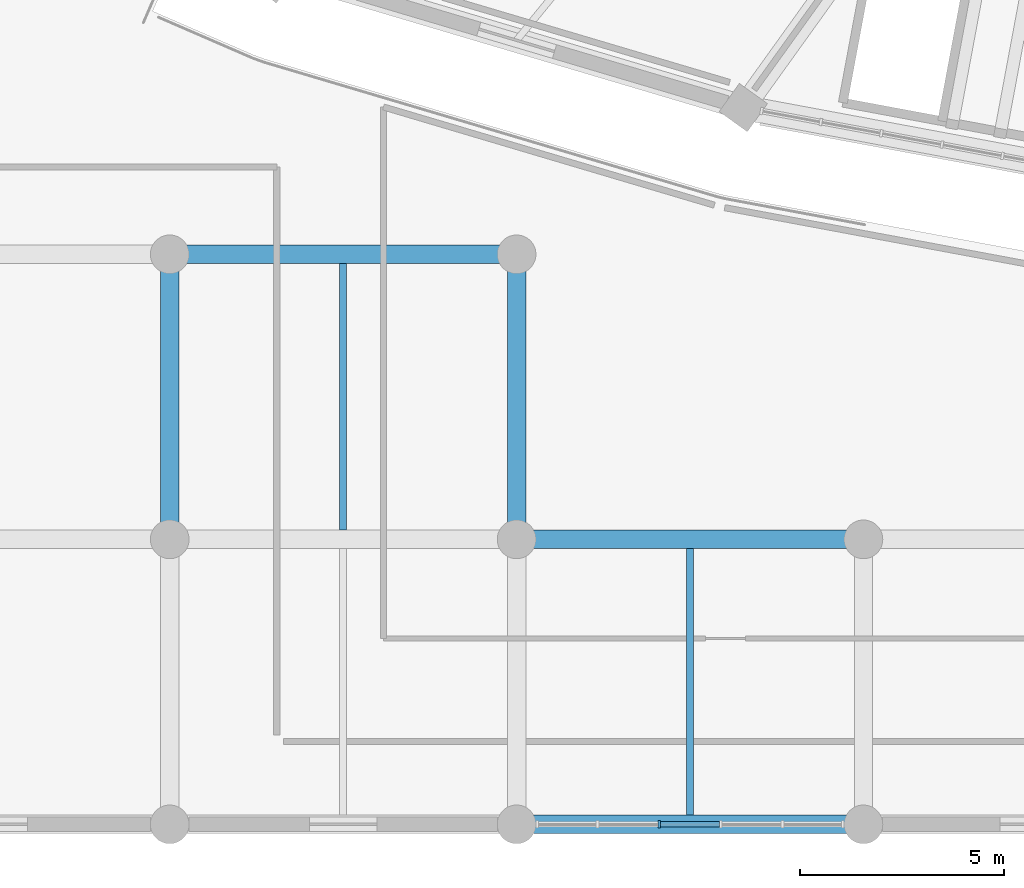
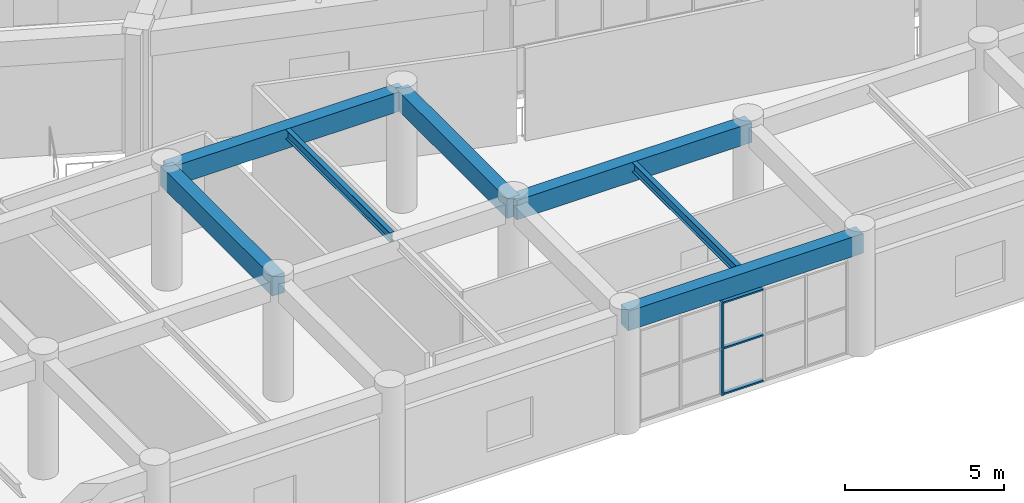
# One storey, part 14 of 152: 7 beams, 4 members, 1 element without a shape of its own.
"""IFC4 building model written with IfcOpenShell, lengths in metres."""

from ifc_helpers import new_model, si_unit, direction, frame, origin, origin_2d, place, context, subcontext, project, spatial, rectangle, i_section, extrude, material, layer, layer_set, material_profile, profile_set, type_object, element, aggregate, save


model = new_model("IFC4")

# Units and contexts
model_context = context("Model", 3, precision=1e-05, world=origin(), true_north=direction((0.0, 1.0)))
body_context = subcontext(model_context, "Body", "Model", "MODEL_VIEW")
ifc_project = project(units=[si_unit("LENGTHUNIT", "METRE"), si_unit("AREAUNIT", "SQUARE_METRE"), si_unit("VOLUMEUNIT", "CUBIC_METRE"), si_unit("PLANEANGLEUNIT", "RADIAN"), si_unit("MASSUNIT", "GRAM", prefix="KILO")], contexts=[model_context])

# Site, building, storey
site_placement = place(None, origin())
site = spatial("IfcSite", under=ifc_project, at=site_placement, CompositionType="ELEMENT")
building_placement = place(site_placement, origin())
building = spatial("IfcBuilding", under=site, at=building_placement, Name="Mphavela Belvedere Stadium", CompositionType="ELEMENT")
storey_placement = place(building_placement, frame((0.0, 0.0, 5.39990234375)))
storey = spatial("IfcBuildingStorey", under=building, at=storey_placement, Name="L01", CompositionType="ELEMENT", Elevation=5.39990234375)

# Beams
ifc_material_1 = material(Name="Steel S355", Category="steel")
ifc_material_profile_1 = material_profile(ifc_material_1, i_section(OverallWidth=0.169921875, OverallDepth=0.360107421875, WebThickness=0.008056640625, FlangeThickness=0.0126953125, at=origin_2d()), Name="IPE 360")
ifc_profile_set_1 = profile_set([ifc_material_profile_1], Name="Steel S355")
beam_type_1 = type_object("IfcBeamType", Name="BM-JOIST-IPE360", PredefinedType="JOIST", material=ifc_profile_set_1)
for number, where, z_axis, x_axis, name in (
    (1, (55.37060546875, 7.22509765625, 4.360107421875), (0.0, 1.0, 0.0), (-1.0, 0.0, 0.0), "South Axial Triumphal Peristyle Portico secondary joist L01 7-2"),
    (2, (63.888916015625, 0.22509765625, 4.360107421875), (0.0, 1.0, 0.0), (-1.0, 0.0, 0.0), "South Axial Triumphal Peristyle Portico secondary joist L01 8-1"),
):
    element("IfcBeam", number, at=place(storey_placement, frame(where, z_axis=z_axis, x_axis=x_axis)), inside=storey, type_object=beam_type_1, Name=name, PredefinedType="JOIST", context=body_context, shape_type="SweptSolid", body=[
        extrude(i_section(OverallWidth=0.169921875, OverallDepth=0.360107421875, WebThickness=0.008056640625, FlangeThickness=0.0126953125, at=origin_2d()), origin(), (0.0, 0.0, 1.0), 6.5498046875),
    ])
ifc_material_2 = material(Name="Concrete C40/50", Category="concrete")
ifc_material_profile_2 = material_profile(ifc_material_2, rectangle(XDim=0.449951171875, YDim=0.75, at=origin_2d()), Name="RC 450x750")
ifc_profile_set_2 = profile_set([ifc_material_profile_2], Name="Concrete C40/50")
beam_type_2 = type_object("IfcBeamType", Name="BM-RC450x750", PredefinedType="BEAM", material=ifc_profile_set_2)
beam_1_placement = place(storey_placement, frame((51.111083984375, 7.0, 4.1650390625), z_axis=(0.0, 1.0, 0.0), x_axis=(-1.0, 0.0, 0.0)))
element("IfcBeam", 3, at=beam_1_placement, inside=storey, type_object=beam_type_2, Name="South Axial Triumphal Peristyle Portico entablature beam Y L01 7-2", PredefinedType="BEAM", context=body_context, shape_type="SweptSolid", body=[
    extrude(rectangle(XDim=0.449951171875, YDim=0.75, at=origin_2d()), origin(), (0.0, 0.0, 1.0), 7.0),
])
beam_2_placement = place(storey_placement, frame((51.111083984375, 14.0, 4.1650390625), z_axis=(1.0, 0.0, 0.0), x_axis=(0.0, 1.0, 0.0)))
element("IfcBeam", 4, at=beam_2_placement, inside=storey, type_object=beam_type_2, Name="South Axial Triumphal Peristyle Portico entablature beam X L01 7-3", PredefinedType="BEAM", context=body_context, shape_type="SweptSolid", body=[
    extrude(rectangle(XDim=0.449951171875, YDim=0.75, at=origin_2d()), origin(), (0.0, 0.0, 1.0), 8.518798828125),
])
for number, where, z_axis, x_axis, name in (
    (5, (59.6298828125, 0.0, 4.1650390625), (1.0, 0.0, 0.0), (0.0, 1.0, 0.0), "South Axial Triumphal Peristyle Portico entablature beam X L01 8-1"),
    (6, (59.6298828125, 7.0, 4.1650390625), (1.0, 0.0, 0.0), (0.0, 1.0, 0.0), "South Axial Triumphal Peristyle Portico entablature beam X L01 8-2"),
):
    element("IfcBeam", number, at=place(storey_placement, frame(where, z_axis=z_axis, x_axis=x_axis)), inside=storey, type_object=beam_type_2, Name=name, PredefinedType="BEAM", context=body_context, shape_type="SweptSolid", body=[
        extrude(rectangle(XDim=0.449951171875, YDim=0.75, at=origin_2d()), origin(), (0.0, 0.0, 1.0), 8.51806640625),
    ])
beam_3_placement = place(storey_placement, frame((59.6298828125, 7.0, 4.1650390625), z_axis=(0.0, 1.0, 0.0), x_axis=(-1.0, 0.0, 0.0)))
element("IfcBeam", 7, at=beam_3_placement, inside=storey, type_object=beam_type_2, Name="South Axial Triumphal Peristyle Portico entablature beam Y L01 8-2", PredefinedType="BEAM", context=body_context, shape_type="SweptSolid", body=[
    extrude(rectangle(XDim=0.449951171875, YDim=0.75, at=origin_2d()), origin(), (0.0, 0.0, 1.0), 7.0),
])

# Curtain wall, members
ifc_material_3 = material(Name="Anodised bronze unitised curtain wall framing")
ifc_layer = layer(ifc_material_3, 0.195068359375)
ifc_layer_set = layer_set([ifc_layer], Name="Anodised bronze unitised curtain wall framing")
curtain_wall_type = type_object("IfcCurtainWallType", Name="CW-UNIT-04", PredefinedType="USERDEFINED", material=ifc_layer_set)
curtain_wall_placement = place(storey_placement, origin())
curtain_wall = element("IfcCurtainWall", 8, at=curtain_wall_placement, inside=storey, type_object=curtain_wall_type, Name="South Axial Triumphal Peristyle Portico gallery curtain wall L01-08", ObjectType="UNITISED CURTAIN WALL", PredefinedType="USERDEFINED")
ifc_material_4 = material(Name="Anodised bronze extruded aluminium", Category="aluminium")
ifc_material_profile_3 = material_profile(ifc_material_4, rectangle(XDim=0.179931640625, YDim=0.06494140625, at=origin_2d()), Name="CW-MUL 180x65")
ifc_profile_set_3 = profile_set([ifc_material_profile_3], Name="Anodised bronze extruded aluminium")
member_type_1 = type_object("IfcMemberType", Name="CWM-180x65", PredefinedType="MULLION", material=ifc_profile_set_3)
member_1_placement = place(storey_placement, frame((63.1318359375, 0.0, 0.0), z_axis=(0.0, 0.0, 1.0), x_axis=(0.0, -1.0, 0.0)))
member_1 = element("IfcMember", 9, at=member_1_placement, type_object=member_type_1, Name="CW-04 mullion 4", PredefinedType="MULLION", context=body_context, shape_type="SweptSolid", body=[
    extrude(rectangle(XDim=0.179931640625, YDim=0.06494140625, at=origin_2d()), origin(), (0.0, 0.0, 1.0), 3.56005859375),
])
ifc_material_5 = material(Name="Anodised bronze extruded aluminium", Category="aluminium")
ifc_material_profile_4 = material_profile(ifc_material_5, rectangle(XDim=0.139892578125, YDim=0.06005859375, at=origin_2d()), Name="CW-TRN 140x60")
ifc_profile_set_4 = profile_set([ifc_material_profile_4], Name="Anodised bronze extruded aluminium")
member_type_2 = type_object("IfcMemberType", Name="CWT-140x60", PredefinedType="USERDEFINED", material=ifc_profile_set_4)
member_2_placement = place(storey_placement, frame((64.61376953125, 0.0, 0.030029296875), z_axis=(-1.0, 0.0, 0.0), x_axis=(0.0, -1.0, 0.0)))
member_2 = element("IfcMember", 10, at=member_2_placement, type_object=member_type_2, Name="CW-04 transom 3.1", ObjectType="TRANSOM", PredefinedType="USERDEFINED", context=body_context, shape_type="SweptSolid", body=[
    extrude(rectangle(XDim=0.139892578125, YDim=0.06005859375, at=origin_2d()), origin(), (0.0, 0.0, 1.0), 1.449462890625),
])
member_3_placement = place(storey_placement, frame((64.61376953125, 0.0, 1.780029296875), z_axis=(-1.0, 0.0, 0.0), x_axis=(0.0, -1.0, 0.0)))
member_3 = element("IfcMember", 11, at=member_3_placement, type_object=member_type_2, Name="CW-04 transom 3.2", ObjectType="TRANSOM", PredefinedType="USERDEFINED", context=body_context, shape_type="SweptSolid", body=[
    extrude(rectangle(XDim=0.139892578125, YDim=0.06005859375, at=origin_2d()), origin(), (0.0, 0.0, 1.0), 1.449462890625),
])
member_4_placement = place(storey_placement, frame((64.61376953125, 0.0, 3.530029296875), z_axis=(-1.0, 0.0, 0.0), x_axis=(0.0, -1.0, 0.0)))
member_4 = element("IfcMember", 12, at=member_4_placement, type_object=member_type_2, Name="CW-04 transom 3.3", ObjectType="TRANSOM", PredefinedType="USERDEFINED", context=body_context, shape_type="SweptSolid", body=[
    extrude(rectangle(XDim=0.139892578125, YDim=0.06005859375, at=origin_2d()), origin(), (0.0, 0.0, 1.0), 1.449462890625),
])
aggregate(curtain_wall, [member_1, member_2, member_3, member_4])

save(model, "model.ifc")
